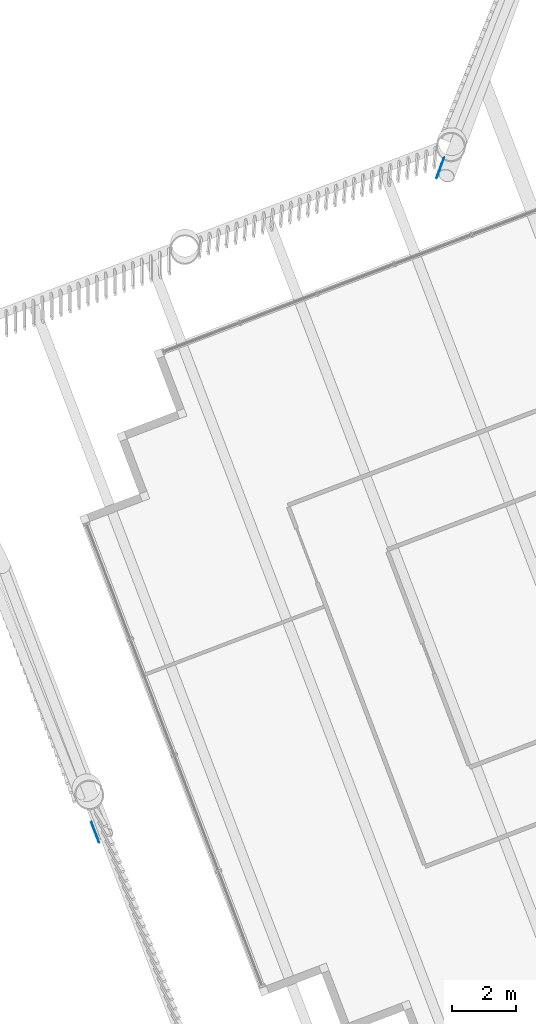
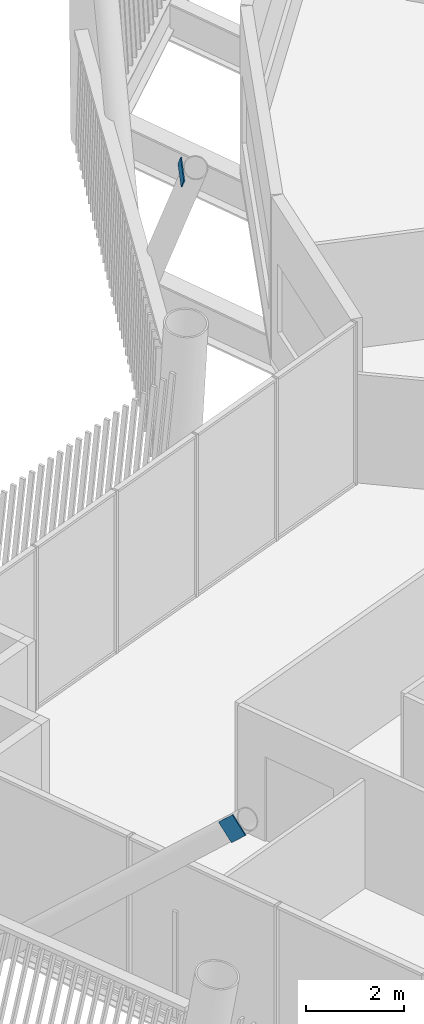
# One storey, part 21 of 33: 2 discrete accessories.
"""IFC4 building model written with IfcOpenShell, lengths in metres."""

from ifc_helpers import new_model, si_unit, direction, frame, origin, origin_2d, place, context, subcontext, project, spatial, rectangle, extrude, material, material_profile, profile_set, type_object, element, save


model = new_model("IFC4")

# Units and contexts
model_context = context("Model", 3, precision=1e-05, world=origin(), true_north=direction((0.0, 1.0)))
body_context = subcontext(model_context, "Body", "Model", "MODEL_VIEW")
ifc_project = project(units=[si_unit("LENGTHUNIT", "METRE"), si_unit("AREAUNIT", "SQUARE_METRE"), si_unit("VOLUMEUNIT", "CUBIC_METRE"), si_unit("PLANEANGLEUNIT", "RADIAN"), si_unit("MASSUNIT", "GRAM", prefix="KILO")], contexts=[model_context])

# Site, building, storey
site_placement = place(None, origin())
site = spatial("IfcSite", under=ifc_project, at=site_placement, CompositionType="ELEMENT")
building_placement = place(site_placement, origin())
building = spatial("IfcBuilding", under=site, at=building_placement, Name="Tarsis Ring Headquarters", CompositionType="ELEMENT")
storey_placement = place(building_placement, frame((0.0, 0.0, 369.199951171875)))
storey = spatial("IfcBuildingStorey", under=building, at=storey_placement, Name="L87", CompositionType="ELEMENT", Elevation=369.199951171875)

# Discrete accessories
ifc_material = material(Name="Structural steel S355", Category="steel")
ifc_material_profile = material_profile(ifc_material, rectangle(XDim=0.02490234375, YDim=0.5, at=origin_2d()), Name="PL 25x500")
ifc_profile_set = profile_set([ifc_material_profile], Name="Structural steel S355")
discrete_accessory_type = type_object("IfcDiscreteAccessoryType", Name="Gusset plate Exo brace 25", PredefinedType="BRACKET", material=ifc_profile_set)
for number, where, z_axis, x_axis, name in (
    (1, (-29.033447265625, 4.0087890625, 8.400146484375), (0.222679558144, 0.608950458346, -0.761310156024), (-0.939176185527, 0.343435718204, 0.0), "Gusset plate GP5"),
    (2, (-39.681396484375, -16.736083984375, 8.400146484375), (-0.261206773598, 0.680602322236, -0.684508217916), (-0.933604279854, -0.358305803244, 0.0), "Gusset plate GP5"),
):
    element("IfcDiscreteAccessory", number, at=place(storey_placement, frame(where, z_axis=z_axis, x_axis=x_axis)), inside=storey, type_object=discrete_accessory_type, Name=name, PredefinedType="BRACKET", context=body_context, shape_type="SweptSolid", body=[
        extrude(rectangle(XDim=0.02490234375, YDim=0.5, at=origin_2d()), origin(), (0.0, 0.0, 1.0), 0.5),
    ])

save(model, "model.ifc")
